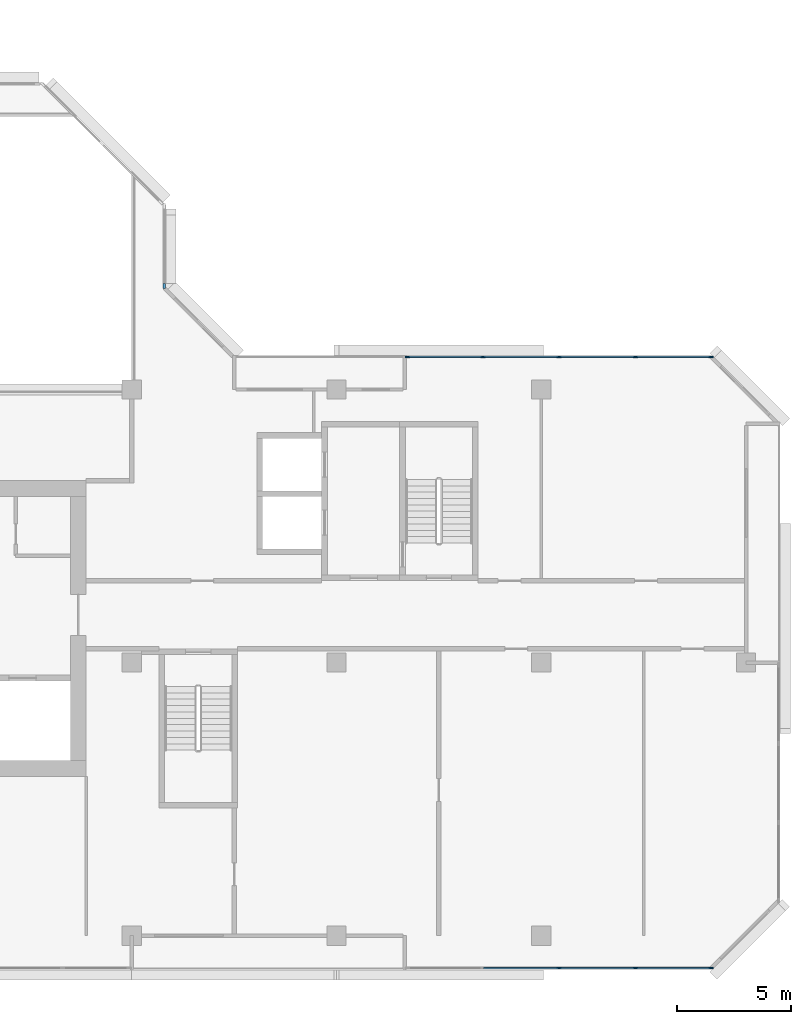
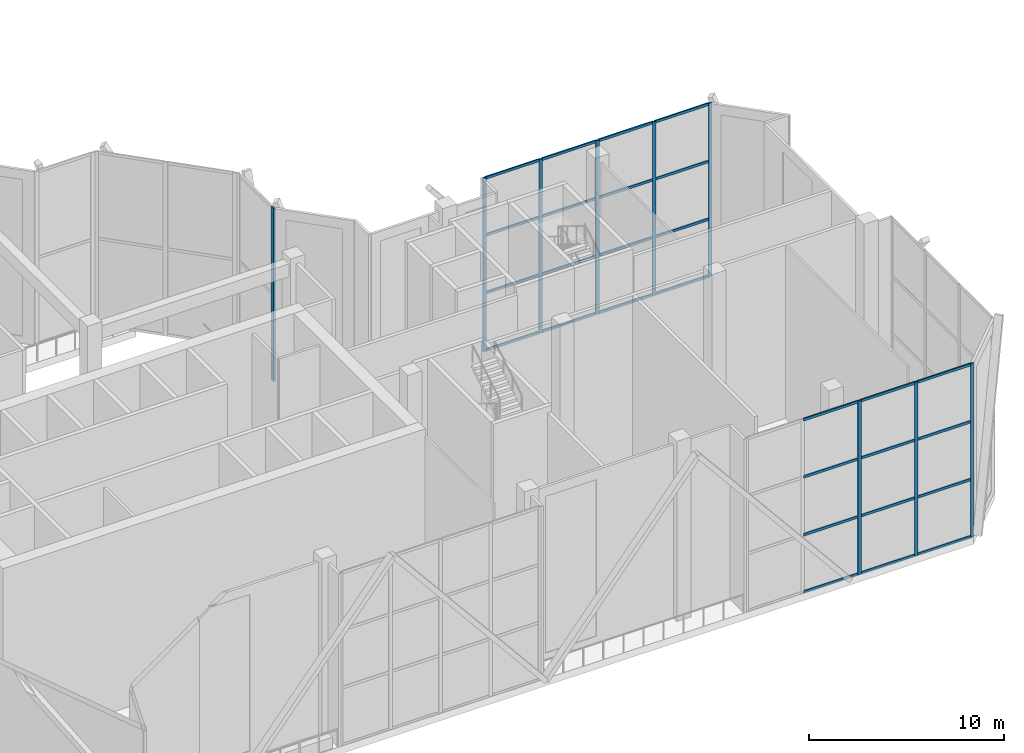
# One storey, part 4 of 18: 37 members, 3 elements without a shape of their own.
"""IFC4 building model written with IfcOpenShell, lengths in metres."""

import ifcopenshell
import ifcopenshell.guid

model = None  # the IFC model being written
_history = None  # IfcOwnerHistory: only IFC2X3 demands one
_inside = {}  # id of a spatial element -> (the spatial element, [elements in it])
_under = {}  # id of a project, library or spatial element -> (it, [spatial elements below it])
_declared = {}  # id of a project -> (the project, [libraries it declares])
_typed = {}  # id of a type object -> (the type object, [elements of that type])
_made_of = {}  # id of a material, layer set ... -> (it, [elements and type objects made of it])


def new_model(schema):
    """Start an empty IFC model of exactly this schema.

    Asked for "IFC4X3", IfcOpenShell would pick the latest addendum, in which some entities
    have other attributes; the version numbers below select the first issue.
    IFC2X3 requires an IfcOwnerHistory on every rooted entity: one is made here for all.
    """
    global model, _history
    if schema == "IFC4X3":
        model = ifcopenshell.file(schema_version=(4, 3, 0, 0))
    else:
        model = ifcopenshell.file(schema=schema)
    _inside.clear()
    _under.clear()
    _declared.clear()
    _typed.clear()
    _made_of.clear()
    _history = None
    if model.schema == "IFC2X3":
        org = make("IfcOrganization", Name="unknown")
        user = make(
            "IfcPersonAndOrganization",
            ThePerson=make("IfcPerson", FamilyName="unknown"),
            TheOrganization=org,
        )
        app = make(
            "IfcApplication",
            ApplicationDeveloper=org,
            Version="unknown",
            ApplicationFullName="unknown",
            ApplicationIdentifier="unknown",
        )
        _history = make(
            "IfcOwnerHistory",
            OwningUser=user,
            OwningApplication=app,
            ChangeAction="ADDED",
            CreationDate=0,
        )
    return model


def make(cls, **values):
    """One entity of the class cls with the attributes given. An attribute that is None is left unset."""
    return model.create_entity(
        cls, **{name: value for name, value in values.items() if value is not None}
    )


def rooted(cls, **values):
    """An entity with a GlobalId (a new one), such as an element, a storey or a relation."""
    return make(cls, GlobalId=ifcopenshell.guid.new(), OwnerHistory=_history, **values)


def si_unit(unit_type, name, prefix=None):
    """IfcSIUnit, for example si_unit("LENGTHUNIT", "METRE", prefix="MILLI")."""
    return make("IfcSIUnit", UnitType=unit_type, Prefix=prefix, Name=name)


def assignment(units):
    """IfcUnitAssignment: the units of a project."""
    return None if units is None else make("IfcUnitAssignment", Units=units)


def point(xyz):
    """IfcCartesianPoint."""
    return None if xyz is None else make("IfcCartesianPoint", Coordinates=xyz)


def direction(xyz):
    """IfcDirection."""
    return None if xyz is None else make("IfcDirection", DirectionRatios=xyz)


def frame(location, z_axis=None, x_axis=None):
    """IfcAxis2Placement3D, a coordinate frame: its origin and axes. An axis left out is left unset."""
    return make(
        "IfcAxis2Placement3D",
        Location=point(location),
        Axis=direction(z_axis),
        RefDirection=direction(x_axis),
    )


def frame_2d(location, x_axis=None):
    """IfcAxis2Placement2D, a coordinate frame in the plane: its origin and x axis."""
    return make(
        "IfcAxis2Placement2D", Location=point(location), RefDirection=direction(x_axis)
    )


def origin():
    """The frame at (0, 0, 0) with its axes left unset."""
    return frame((0.0, 0.0, 0.0))


def origin_2d():
    """The frame at (0, 0) in the plane with its x axis left unset."""
    return frame_2d((0.0, 0.0))


def place(relative_to, where):
    """IfcLocalPlacement: puts the frame where relative to a parent placement (None: the world)."""
    return make(
        "IfcLocalPlacement", PlacementRelTo=relative_to, RelativePlacement=where
    )


def context(
    kind, dimensions, precision=None, world=None, true_north=None, identifier=None
):
    """IfcGeometricRepresentationContext, for example the 3D "Model" context."""
    return make(
        "IfcGeometricRepresentationContext",
        ContextIdentifier=identifier,
        ContextType=kind,
        CoordinateSpaceDimension=dimensions,
        Precision=precision,
        WorldCoordinateSystem=world,
        TrueNorth=true_north,
    )


def subcontext(parent, identifier, kind, view, scale=None):
    """IfcGeometricRepresentationSubContext, for example "Body" below "Model"."""
    return make(
        "IfcGeometricRepresentationSubContext",
        ContextIdentifier=identifier,
        ContextType=kind,
        ParentContext=parent,
        TargetScale=scale,
        TargetView=view,
    )


def project(units=None, contexts=None):
    """IfcProject with its units and contexts."""
    return rooted(
        "IfcProject",
        Name="project",
        RepresentationContexts=contexts,
        UnitsInContext=assignment(units),
    )


def spatial(cls, under=None, at=None, **own):
    """A site, building, storey or space (cls), placed at a placement, below another one or the project."""
    s = rooted(cls, ObjectPlacement=at, **own)
    if under is not None:
        _under.setdefault(under.id(), (under, []))[1].append(s)
    return s


def profile(cls, at=None, kind="AREA", **sizes):
    """A parametric profile (cls). Its sizes go by their IFC names, for example OverallWidth=200.0."""
    return make(cls, ProfileType=kind, Position=at, **sizes)


def rectangle(**sizes):
    """IfcRectangleProfileDef."""
    return profile("IfcRectangleProfileDef", **sizes)


def extrude(swept, where, along, depth):
    """IfcExtrudedAreaSolid: the profile swept, set in the frame where, extruded along a direction by depth."""
    return make(
        "IfcExtrudedAreaSolid",
        SweptArea=swept,
        Position=where,
        ExtrudedDirection=direction(along),
        Depth=depth,
    )


def shape(context_of_items, identifier, shape_type, items):
    """IfcShapeRepresentation: the items that make up one representation, for example the "Body"."""
    return make(
        "IfcShapeRepresentation",
        ContextOfItems=context_of_items,
        RepresentationIdentifier=identifier,
        RepresentationType=shape_type,
        Items=items,
    )


def material(Name=None, Category=None):
    """IfcMaterial."""
    return make("IfcMaterial", Name=Name, Category=Category)


def layer(
    of_material, thickness, ventilated=None, Name=None, Category=None, Priority=None
):
    """IfcMaterialLayer: one layer of a wall or slab, of a material (None: an air gap)."""
    return make(
        "IfcMaterialLayer",
        Material=of_material,
        LayerThickness=thickness,
        IsVentilated=ventilated,
        Name=Name,
        Category=Category,
        Priority=Priority,
    )


def layer_set(layers, Name=None):
    """IfcMaterialLayerSet."""
    return make("IfcMaterialLayerSet", MaterialLayers=layers, LayerSetName=Name)


def material_profile(
    of_material, cross_section, Name=None, Category=None, Priority=None
):
    """IfcMaterialProfile: a cross section and its material."""
    return make(
        "IfcMaterialProfile",
        Name=Name,
        Material=of_material,
        Profile=cross_section,
        Priority=Priority,
        Category=Category,
    )


def profile_set(profiles, Name=None, composite=None):
    """IfcMaterialProfileSet."""
    return make(
        "IfcMaterialProfileSet",
        Name=Name,
        MaterialProfiles=profiles,
        CompositeProfile=composite,
    )


def made_of(thing, what):
    """Note that an element or type object is made of a material, layer set ...; save() writes the relation."""
    if what is not None:
        _made_of.setdefault(what.id(), (what, []))[1].append(thing)
    return thing


def type_object(cls, material=None, **own):
    """A type object (cls), such as IfcWallType, which elements share."""
    return made_of(rooted(cls, **own), material)


def element(
    cls,
    number,
    at=None,
    inside=None,
    cuts=None,
    type_object=None,
    material=None,
    context=None,
    identifier="Body",
    shape_type=None,
    held_by="IfcProductDefinitionShape",
    body=None,
    shapes=None,
    **own,
):
    """One element of the class cls, such as IfcWall. Its Tag is "e" and its number.

    at: its placement. inside: the storey or other place that contains it. cuts: it is an
    opening in that element (IfcRelVoidsElement). A single representation is given by context,
    identifier, shape_type and body (its items); several are given by shapes. held_by: the class
    of the entity that holds the representations. save() writes the other relations.
    """
    e = rooted(cls, Tag="e%d" % number, ObjectPlacement=at, **own)
    if body is not None:
        shapes = [shape(context, identifier, shape_type, body)]
    if shapes is not None:
        e.Representation = make(held_by, Representations=shapes)
    if inside is not None:
        _inside.setdefault(inside.id(), (inside, []))[1].append(e)
    if cuts is not None:
        rooted(
            "IfcRelVoidsElement", RelatingBuildingElement=cuts, RelatedOpeningElement=e
        )
    if type_object is not None:
        _typed.setdefault(type_object.id(), (type_object, []))[1].append(e)
    return made_of(e, material)


def aggregate(whole, parts):
    """IfcRelAggregates: a whole, such as a stair, and the parts it consists of."""
    return rooted("IfcRelAggregates", RelatingObject=whole, RelatedObjects=parts)


def save(model, path):
    """Write the relations noted so far, then the file.

    IfcRelAggregates (storeys below a building ...), IfcRelContainedInSpatialStructure (elements
    in a storey), IfcRelDefinesByType, IfcRelAssociatesMaterial and IfcRelDeclares: one each for
    every whole, place, type object, material and project.
    """
    for whole, parts in _under.values():
        aggregate(whole, parts)
    for where, things in _inside.values():
        rooted(
            "IfcRelContainedInSpatialStructure",
            RelatedElements=things,
            RelatingStructure=where,
        )
    for kind, things in _typed.values():
        rooted("IfcRelDefinesByType", RelatedObjects=things, RelatingType=kind)
    for what, things in _made_of.values():
        rooted("IfcRelAssociatesMaterial", RelatedObjects=things, RelatingMaterial=what)
    for by, libraries in _declared.values():
        rooted("IfcRelDeclares", RelatingContext=by, RelatedDefinitions=libraries)
    model.write(path)


model = new_model("IFC4")

# Units and contexts
model_context = context("Model", 3, precision=1e-05, world=origin(), true_north=direction((0.0, 1.0)))
body_context = subcontext(model_context, "Body", "Model", "MODEL_VIEW")
ifc_project = project(units=[si_unit("LENGTHUNIT", "METRE"), si_unit("AREAUNIT", "SQUARE_METRE"), si_unit("VOLUMEUNIT", "CUBIC_METRE"), si_unit("PLANEANGLEUNIT", "RADIAN"), si_unit("MASSUNIT", "GRAM", prefix="KILO")], contexts=[model_context])

# Site, building, storey
site_placement = place(None, origin())
site = spatial("IfcSite", under=ifc_project, at=site_placement, CompositionType="ELEMENT")
building_placement = place(site_placement, origin())
building = spatial("IfcBuilding", under=site, at=building_placement, Name="Chenar Terraces", CompositionType="ELEMENT")
storey_placement = place(building_placement, frame((0.0, 0.0, 262.14990234375)))
storey = spatial("IfcBuildingStorey", under=building, at=storey_placement, Name="L62", CompositionType="ELEMENT", Elevation=262.14990234375)

# Curtain wall, member
ifc_material_1 = material(Name="Aluminium framed glazing", Category="aluminium")
ifc_layer_1 = layer(ifc_material_1, 0.14990234375)
ifc_layer_set_1 = layer_set([ifc_layer_1], Name="Aluminium framed glazing")
curtain_wall_type_1 = type_object("IfcCurtainWallType", Name="Atrium upper-zone curtain wall", PredefinedType="NOTDEFINED", material=ifc_layer_set_1)
placement = place(storey_placement, origin())
curtain_wall_1 = element("IfcCurtainWall", 1, at=placement, inside=storey, type_object=curtain_wall_type_1, Name="Atrium upper-zone curtain wall", PredefinedType="NOTDEFINED")
ifc_material_2 = material(Name="Aluminium", Category="aluminium")
ifc_material_profile_1 = material_profile(ifc_material_2, rectangle(XDim=0.10009765625, YDim=0.239990234375, at=origin_2d()), Name="Atrium upper-zone glazing mullion 100 x 240")
ifc_profile_set_1 = profile_set([ifc_material_profile_1], Name="Aluminium")
member_type_1 = type_object("IfcMemberType", Name="Atrium upper-zone glazing mullion 100 x 240", PredefinedType="MULLION", material=ifc_profile_set_1)
member_1_placement = place(storey_placement, frame((37.425048828125, 28.550048828125, 0.0), z_axis=(0.0, 0.0, 1.0), x_axis=(-1.0, 0.0, 0.0)))
member_1 = element("IfcMember", 2, at=member_1_placement, type_object=member_type_1, Name="CW8-1 mullion 1", PredefinedType="MULLION", context=body_context, shape_type="SweptSolid", body=[
    extrude(rectangle(XDim=0.10009765625, YDim=0.239990234375, at=origin_2d()), origin(), (0.0, 0.0, 1.0), 10.85009765625),
])
aggregate(curtain_wall_1, [member_1])

# Curtain wall, members
ifc_material_3 = material(Name="Aluminium framed glazing", Category="aluminium")
ifc_layer_2 = layer(ifc_material_3, 0.14990234375)
ifc_layer_set_2 = layer_set([ifc_layer_2], Name="Aluminium framed glazing")
curtain_wall_type_2 = type_object("IfcCurtainWallType", Name="Sky garden curtain wall", PredefinedType="NOTDEFINED", material=ifc_layer_set_2)
curtain_wall_2 = element("IfcCurtainWall", 3, at=placement, inside=storey, type_object=curtain_wall_type_2, Name="Sky garden curtain wall", PredefinedType="NOTDEFINED")
ifc_material_4 = material(Name="Aluminium", Category="aluminium")
ifc_material_profile_2 = material_profile(ifc_material_4, rectangle(XDim=0.080078125, YDim=0.199951171875, at=origin_2d()), Name="Sky garden mullion 80 x 200")
ifc_profile_set_2 = profile_set([ifc_material_profile_2], Name="Aluminium")
member_type_2 = type_object("IfcMemberType", Name="Sky garden mullion 80 x 200", PredefinedType="MULLION", material=ifc_profile_set_2)
member_2_placement = place(storey_placement, frame((61.4599609375, 25.425048828125, 0.0), z_axis=(0.0, 0.0, 1.0), x_axis=(0.0, -1.0, 0.0)))
member_2 = element("IfcMember", 4, at=member_2_placement, type_object=member_type_2, Name="CW3-01 mullion 1", PredefinedType="MULLION", context=body_context, shape_type="SweptSolid", body=[
    extrude(rectangle(XDim=0.080078125, YDim=0.199951171875, at=origin_2d()), origin(), (0.0, 0.0, 1.0), 10.85009765625),
])
member_3_placement = place(storey_placement, frame((58.143798828125, 25.425048828125, 0.0), z_axis=(0.0, 0.0, 1.0), x_axis=(0.0, -1.0, 0.0)))
member_3 = element("IfcMember", 5, at=member_3_placement, type_object=member_type_2, Name="CW3-01 mullion 2", PredefinedType="MULLION", context=body_context, shape_type="SweptSolid", body=[
    extrude(rectangle(XDim=0.080078125, YDim=0.199951171875, at=origin_2d()), origin(), (0.0, 0.0, 1.0), 10.85009765625),
])
member_4_placement = place(storey_placement, frame((54.78759765625, 25.425048828125, 0.0), z_axis=(0.0, 0.0, 1.0), x_axis=(0.0, -1.0, 0.0)))
member_4 = element("IfcMember", 6, at=member_4_placement, type_object=member_type_2, Name="CW3-01 mullion 3", PredefinedType="MULLION", context=body_context, shape_type="SweptSolid", body=[
    extrude(rectangle(XDim=0.080078125, YDim=0.199951171875, at=origin_2d()), origin(), (0.0, 0.0, 1.0), 10.85009765625),
])
member_5_placement = place(storey_placement, frame((51.43115234375, 25.425048828125, 0.0), z_axis=(0.0, 0.0, 1.0), x_axis=(0.0, -1.0, 0.0)))
member_5 = element("IfcMember", 7, at=member_5_placement, type_object=member_type_2, Name="CW3-01 mullion 4", PredefinedType="MULLION", context=body_context, shape_type="SweptSolid", body=[
    extrude(rectangle(XDim=0.080078125, YDim=0.199951171875, at=origin_2d()), origin(), (0.0, 0.0, 1.0), 10.85009765625),
])
member_6_placement = place(storey_placement, frame((48.114990234375, 25.425048828125, 0.0), z_axis=(0.0, 0.0, 1.0), x_axis=(0.0, -1.0, 0.0)))
member_6 = element("IfcMember", 8, at=member_6_placement, type_object=member_type_2, Name="CW3-01 mullion 5", PredefinedType="MULLION", context=body_context, shape_type="SweptSolid", body=[
    extrude(rectangle(XDim=0.080078125, YDim=0.199951171875, at=origin_2d()), origin(), (0.0, 0.0, 1.0), 10.85009765625),
])

curtain_wall_3 = element("IfcCurtainWall", 9, at=placement, inside=storey, type_object=curtain_wall_type_2, Name="Sky garden curtain wall", PredefinedType="NOTDEFINED")
member_7_placement = place(storey_placement, frame((54.78759765625, -1.425048828125, 0.0), z_axis=(0.0, 0.0, 1.0), x_axis=(0.0, 1.0, 0.0)))
member_7 = element("IfcMember", 10, at=member_7_placement, type_object=member_type_2, Name="CW3-08 mullion 3", PredefinedType="MULLION", context=body_context, shape_type="SweptSolid", body=[
    extrude(rectangle(XDim=0.080078125, YDim=0.199951171875, at=origin_2d()), origin(), (0.0, 0.0, 1.0), 10.85009765625),
])
member_8_placement = place(storey_placement, frame((58.143798828125, -1.425048828125, 0.0), z_axis=(0.0, 0.0, 1.0), x_axis=(0.0, 1.0, 0.0)))
member_8 = element("IfcMember", 11, at=member_8_placement, type_object=member_type_2, Name="CW3-08 mullion 4", PredefinedType="MULLION", context=body_context, shape_type="SweptSolid", body=[
    extrude(rectangle(XDim=0.080078125, YDim=0.199951171875, at=origin_2d()), origin(), (0.0, 0.0, 1.0), 10.85009765625),
])
member_9_placement = place(storey_placement, frame((61.4599609375, -1.425048828125, 0.0), z_axis=(0.0, 0.0, 1.0), x_axis=(0.0, 1.0, 0.0)))
member_9 = element("IfcMember", 12, at=member_9_placement, type_object=member_type_2, Name="CW3-08 mullion 5", PredefinedType="MULLION", context=body_context, shape_type="SweptSolid", body=[
    extrude(rectangle(XDim=0.080078125, YDim=0.199951171875, at=origin_2d()), origin(), (0.0, 0.0, 1.0), 10.85009765625),
])

# Member
ifc_material_5 = material(Name="Aluminium", Category="aluminium")
ifc_material_profile_3 = material_profile(ifc_material_5, rectangle(XDim=0.080078125, YDim=0.159912109375, at=origin_2d()), Name="Sky garden transom 80 x 160")
ifc_profile_set_3 = profile_set([ifc_material_profile_3], Name="Aluminium")
member_type_3 = type_object("IfcMemberType", Name="Sky garden transom 80 x 160", PredefinedType="USERDEFINED", material=ifc_profile_set_3)
member_10_placement = place(storey_placement, frame((61.419921875, 25.425048828125, 0.0400390625), z_axis=(-1.0, 0.0, 0.0), x_axis=(0.0, -1.0, 0.0)))
member_10 = element("IfcMember", 13, at=member_10_placement, type_object=member_type_3, Name="CW3-01 transom 1.1", ObjectType="TRANSOM", PredefinedType="USERDEFINED", context=body_context, shape_type="SweptSolid", body=[
    extrude(rectangle(XDim=0.080078125, YDim=0.159912109375, at=origin_2d()), origin(), (0.0, 0.0, 1.0), 3.236083984375),
])

member_11_placement = place(storey_placement, frame((61.419921875, 25.425048828125, 3.6171875), z_axis=(-1.0, 0.0, 0.0), x_axis=(0.0, -1.0, 0.0)))
member_11 = element("IfcMember", 14, at=member_11_placement, type_object=member_type_3, Name="CW3-01 transom 1.2", ObjectType="TRANSOM", PredefinedType="USERDEFINED", context=body_context, shape_type="SweptSolid", body=[
    extrude(rectangle(XDim=0.080078125, YDim=0.159912109375, at=origin_2d()), origin(), (0.0, 0.0, 1.0), 3.236083984375),
])

member_12_placement = place(storey_placement, frame((61.419921875, 25.425048828125, 7.233154296875), z_axis=(-1.0, 0.0, 0.0), x_axis=(0.0, -1.0, 0.0)))
member_12 = element("IfcMember", 15, at=member_12_placement, type_object=member_type_3, Name="CW3-01 transom 1.3", ObjectType="TRANSOM", PredefinedType="USERDEFINED", context=body_context, shape_type="SweptSolid", body=[
    extrude(rectangle(XDim=0.080078125, YDim=0.159912109375, at=origin_2d()), origin(), (0.0, 0.0, 1.0), 3.236083984375),
])

member_13_placement = place(storey_placement, frame((61.419921875, 25.425048828125, 10.81005859375), z_axis=(-1.0, 0.0, 0.0), x_axis=(0.0, -1.0, 0.0)))
member_13 = element("IfcMember", 16, at=member_13_placement, type_object=member_type_3, Name="CW3-01 transom 1.4", ObjectType="TRANSOM", PredefinedType="USERDEFINED", context=body_context, shape_type="SweptSolid", body=[
    extrude(rectangle(XDim=0.080078125, YDim=0.159912109375, at=origin_2d()), origin(), (0.0, 0.0, 1.0), 3.236083984375),
])

member_14_placement = place(storey_placement, frame((58.103759765625, 25.425048828125, 0.0400390625), z_axis=(-1.0, 0.0, 0.0), x_axis=(0.0, -1.0, 0.0)))
member_14 = element("IfcMember", 17, at=member_14_placement, type_object=member_type_3, Name="CW3-01 transom 2.1", ObjectType="TRANSOM", PredefinedType="USERDEFINED", context=body_context, shape_type="SweptSolid", body=[
    extrude(rectangle(XDim=0.080078125, YDim=0.159912109375, at=origin_2d()), origin(), (0.0, 0.0, 1.0), 3.2763671875),
])

member_15_placement = place(storey_placement, frame((58.103759765625, 25.425048828125, 3.6171875), z_axis=(-1.0, 0.0, 0.0), x_axis=(0.0, -1.0, 0.0)))
member_15 = element("IfcMember", 18, at=member_15_placement, type_object=member_type_3, Name="CW3-01 transom 2.2", ObjectType="TRANSOM", PredefinedType="USERDEFINED", context=body_context, shape_type="SweptSolid", body=[
    extrude(rectangle(XDim=0.080078125, YDim=0.159912109375, at=origin_2d()), origin(), (0.0, 0.0, 1.0), 3.2763671875),
])

member_16_placement = place(storey_placement, frame((58.103759765625, 25.425048828125, 7.233154296875), z_axis=(-1.0, 0.0, 0.0), x_axis=(0.0, -1.0, 0.0)))
member_16 = element("IfcMember", 19, at=member_16_placement, type_object=member_type_3, Name="CW3-01 transom 2.3", ObjectType="TRANSOM", PredefinedType="USERDEFINED", context=body_context, shape_type="SweptSolid", body=[
    extrude(rectangle(XDim=0.080078125, YDim=0.159912109375, at=origin_2d()), origin(), (0.0, 0.0, 1.0), 3.2763671875),
])

member_17_placement = place(storey_placement, frame((58.103759765625, 25.425048828125, 10.81005859375), z_axis=(-1.0, 0.0, 0.0), x_axis=(0.0, -1.0, 0.0)))
member_17 = element("IfcMember", 20, at=member_17_placement, type_object=member_type_3, Name="CW3-01 transom 2.4", ObjectType="TRANSOM", PredefinedType="USERDEFINED", context=body_context, shape_type="SweptSolid", body=[
    extrude(rectangle(XDim=0.080078125, YDim=0.159912109375, at=origin_2d()), origin(), (0.0, 0.0, 1.0), 3.2763671875),
])

member_18_placement = place(storey_placement, frame((54.74755859375, 25.425048828125, 0.0400390625), z_axis=(-1.0, 0.0, 0.0), x_axis=(0.0, -1.0, 0.0)))
member_18 = element("IfcMember", 21, at=member_18_placement, type_object=member_type_3, Name="CW3-01 transom 3.1", ObjectType="TRANSOM", PredefinedType="USERDEFINED", context=body_context, shape_type="SweptSolid", body=[
    extrude(rectangle(XDim=0.080078125, YDim=0.159912109375, at=origin_2d()), origin(), (0.0, 0.0, 1.0), 3.2763671875),
])

member_19_placement = place(storey_placement, frame((54.74755859375, 25.425048828125, 3.6171875), z_axis=(-1.0, 0.0, 0.0), x_axis=(0.0, -1.0, 0.0)))
member_19 = element("IfcMember", 22, at=member_19_placement, type_object=member_type_3, Name="CW3-01 transom 3.2", ObjectType="TRANSOM", PredefinedType="USERDEFINED", context=body_context, shape_type="SweptSolid", body=[
    extrude(rectangle(XDim=0.080078125, YDim=0.159912109375, at=origin_2d()), origin(), (0.0, 0.0, 1.0), 3.2763671875),
])

member_20_placement = place(storey_placement, frame((54.74755859375, 25.425048828125, 7.233154296875), z_axis=(-1.0, 0.0, 0.0), x_axis=(0.0, -1.0, 0.0)))
member_20 = element("IfcMember", 23, at=member_20_placement, type_object=member_type_3, Name="CW3-01 transom 3.3", ObjectType="TRANSOM", PredefinedType="USERDEFINED", context=body_context, shape_type="SweptSolid", body=[
    extrude(rectangle(XDim=0.080078125, YDim=0.159912109375, at=origin_2d()), origin(), (0.0, 0.0, 1.0), 3.2763671875),
])

member_21_placement = place(storey_placement, frame((54.74755859375, 25.425048828125, 10.81005859375), z_axis=(-1.0, 0.0, 0.0), x_axis=(0.0, -1.0, 0.0)))
member_21 = element("IfcMember", 24, at=member_21_placement, type_object=member_type_3, Name="CW3-01 transom 3.4", ObjectType="TRANSOM", PredefinedType="USERDEFINED", context=body_context, shape_type="SweptSolid", body=[
    extrude(rectangle(XDim=0.080078125, YDim=0.159912109375, at=origin_2d()), origin(), (0.0, 0.0, 1.0), 3.2763671875),
])

member_22_placement = place(storey_placement, frame((51.391357421875, 25.425048828125, 0.0400390625), z_axis=(-1.0, 0.0, 0.0), x_axis=(0.0, -1.0, 0.0)))
member_22 = element("IfcMember", 25, at=member_22_placement, type_object=member_type_3, Name="CW3-01 transom 4.1", ObjectType="TRANSOM", PredefinedType="USERDEFINED", context=body_context, shape_type="SweptSolid", body=[
    extrude(rectangle(XDim=0.080078125, YDim=0.159912109375, at=origin_2d()), origin(), (0.0, 0.0, 1.0), 3.236328125),
])

member_23_placement = place(storey_placement, frame((51.391357421875, 25.425048828125, 3.6171875), z_axis=(-1.0, 0.0, 0.0), x_axis=(0.0, -1.0, 0.0)))
member_23 = element("IfcMember", 26, at=member_23_placement, type_object=member_type_3, Name="CW3-01 transom 4.2", ObjectType="TRANSOM", PredefinedType="USERDEFINED", context=body_context, shape_type="SweptSolid", body=[
    extrude(rectangle(XDim=0.080078125, YDim=0.159912109375, at=origin_2d()), origin(), (0.0, 0.0, 1.0), 3.236328125),
])

member_24_placement = place(storey_placement, frame((51.391357421875, 25.425048828125, 7.233154296875), z_axis=(-1.0, 0.0, 0.0), x_axis=(0.0, -1.0, 0.0)))
member_24 = element("IfcMember", 27, at=member_24_placement, type_object=member_type_3, Name="CW3-01 transom 4.3", ObjectType="TRANSOM", PredefinedType="USERDEFINED", context=body_context, shape_type="SweptSolid", body=[
    extrude(rectangle(XDim=0.080078125, YDim=0.159912109375, at=origin_2d()), origin(), (0.0, 0.0, 1.0), 3.236328125),
])

member_25_placement = place(storey_placement, frame((51.391357421875, 25.425048828125, 10.81005859375), z_axis=(-1.0, 0.0, 0.0), x_axis=(0.0, -1.0, 0.0)))
member_25 = element("IfcMember", 28, at=member_25_placement, type_object=member_type_3, Name="CW3-01 transom 4.4", ObjectType="TRANSOM", PredefinedType="USERDEFINED", context=body_context, shape_type="SweptSolid", body=[
    extrude(rectangle(XDim=0.080078125, YDim=0.159912109375, at=origin_2d()), origin(), (0.0, 0.0, 1.0), 3.236328125),
])

aggregate(curtain_wall_2, [member_2, member_3, member_4, member_5, member_6, member_10, member_11, member_12, member_13, member_14, member_15, member_16, member_17, member_18, member_19, member_20, member_21, member_22, member_23, member_24, member_25])

member_26_placement = place(storey_placement, frame((51.47119140625, -1.425048828125, 0.0400390625), z_axis=(1.0, 0.0, 0.0), x_axis=(0.0, 1.0, 0.0)))
member_26 = element("IfcMember", 29, at=member_26_placement, type_object=member_type_3, Name="CW3-08 transom 2.1", ObjectType="TRANSOM", PredefinedType="USERDEFINED", context=body_context, shape_type="SweptSolid", body=[
    extrude(rectangle(XDim=0.080078125, YDim=0.159912109375, at=origin_2d()), origin(), (0.0, 0.0, 1.0), 3.2763671875),
])

member_27_placement = place(storey_placement, frame((51.47119140625, -1.425048828125, 3.6171875), z_axis=(1.0, 0.0, 0.0), x_axis=(0.0, 1.0, 0.0)))
member_27 = element("IfcMember", 30, at=member_27_placement, type_object=member_type_3, Name="CW3-08 transom 2.2", ObjectType="TRANSOM", PredefinedType="USERDEFINED", context=body_context, shape_type="SweptSolid", body=[
    extrude(rectangle(XDim=0.080078125, YDim=0.159912109375, at=origin_2d()), origin(), (0.0, 0.0, 1.0), 3.2763671875),
])

member_28_placement = place(storey_placement, frame((51.47119140625, -1.425048828125, 7.233154296875), z_axis=(1.0, 0.0, 0.0), x_axis=(0.0, 1.0, 0.0)))
member_28 = element("IfcMember", 31, at=member_28_placement, type_object=member_type_3, Name="CW3-08 transom 2.3", ObjectType="TRANSOM", PredefinedType="USERDEFINED", context=body_context, shape_type="SweptSolid", body=[
    extrude(rectangle(XDim=0.080078125, YDim=0.159912109375, at=origin_2d()), origin(), (0.0, 0.0, 1.0), 3.2763671875),
])

member_29_placement = place(storey_placement, frame((51.47119140625, -1.425048828125, 10.81005859375), z_axis=(1.0, 0.0, 0.0), x_axis=(0.0, 1.0, 0.0)))
member_29 = element("IfcMember", 32, at=member_29_placement, type_object=member_type_3, Name="CW3-08 transom 2.4", ObjectType="TRANSOM", PredefinedType="USERDEFINED", context=body_context, shape_type="SweptSolid", body=[
    extrude(rectangle(XDim=0.080078125, YDim=0.159912109375, at=origin_2d()), origin(), (0.0, 0.0, 1.0), 3.2763671875),
])

member_30_placement = place(storey_placement, frame((54.827392578125, -1.425048828125, 0.0400390625), z_axis=(1.0, 0.0, 0.0), x_axis=(0.0, 1.0, 0.0)))
member_30 = element("IfcMember", 33, at=member_30_placement, type_object=member_type_3, Name="CW3-08 transom 3.1", ObjectType="TRANSOM", PredefinedType="USERDEFINED", context=body_context, shape_type="SweptSolid", body=[
    extrude(rectangle(XDim=0.080078125, YDim=0.159912109375, at=origin_2d()), origin(), (0.0, 0.0, 1.0), 3.2763671875),
])

member_31_placement = place(storey_placement, frame((54.827392578125, -1.425048828125, 3.6171875), z_axis=(1.0, 0.0, 0.0), x_axis=(0.0, 1.0, 0.0)))
member_31 = element("IfcMember", 34, at=member_31_placement, type_object=member_type_3, Name="CW3-08 transom 3.2", ObjectType="TRANSOM", PredefinedType="USERDEFINED", context=body_context, shape_type="SweptSolid", body=[
    extrude(rectangle(XDim=0.080078125, YDim=0.159912109375, at=origin_2d()), origin(), (0.0, 0.0, 1.0), 3.2763671875),
])

member_32_placement = place(storey_placement, frame((54.827392578125, -1.425048828125, 7.233154296875), z_axis=(1.0, 0.0, 0.0), x_axis=(0.0, 1.0, 0.0)))
member_32 = element("IfcMember", 35, at=member_32_placement, type_object=member_type_3, Name="CW3-08 transom 3.3", ObjectType="TRANSOM", PredefinedType="USERDEFINED", context=body_context, shape_type="SweptSolid", body=[
    extrude(rectangle(XDim=0.080078125, YDim=0.159912109375, at=origin_2d()), origin(), (0.0, 0.0, 1.0), 3.2763671875),
])

member_33_placement = place(storey_placement, frame((54.827392578125, -1.425048828125, 10.81005859375), z_axis=(1.0, 0.0, 0.0), x_axis=(0.0, 1.0, 0.0)))
member_33 = element("IfcMember", 36, at=member_33_placement, type_object=member_type_3, Name="CW3-08 transom 3.4", ObjectType="TRANSOM", PredefinedType="USERDEFINED", context=body_context, shape_type="SweptSolid", body=[
    extrude(rectangle(XDim=0.080078125, YDim=0.159912109375, at=origin_2d()), origin(), (0.0, 0.0, 1.0), 3.2763671875),
])

member_34_placement = place(storey_placement, frame((58.183837890625, -1.425048828125, 0.0400390625), z_axis=(1.0, 0.0, 0.0), x_axis=(0.0, 1.0, 0.0)))
member_34 = element("IfcMember", 37, at=member_34_placement, type_object=member_type_3, Name="CW3-08 transom 4.1", ObjectType="TRANSOM", PredefinedType="USERDEFINED", context=body_context, shape_type="SweptSolid", body=[
    extrude(rectangle(XDim=0.080078125, YDim=0.159912109375, at=origin_2d()), origin(), (0.0, 0.0, 1.0), 3.236083984375),
])

member_35_placement = place(storey_placement, frame((58.183837890625, -1.425048828125, 3.6171875), z_axis=(1.0, 0.0, 0.0), x_axis=(0.0, 1.0, 0.0)))
member_35 = element("IfcMember", 38, at=member_35_placement, type_object=member_type_3, Name="CW3-08 transom 4.2", ObjectType="TRANSOM", PredefinedType="USERDEFINED", context=body_context, shape_type="SweptSolid", body=[
    extrude(rectangle(XDim=0.080078125, YDim=0.159912109375, at=origin_2d()), origin(), (0.0, 0.0, 1.0), 3.236083984375),
])

member_36_placement = place(storey_placement, frame((58.183837890625, -1.425048828125, 7.233154296875), z_axis=(1.0, 0.0, 0.0), x_axis=(0.0, 1.0, 0.0)))
member_36 = element("IfcMember", 39, at=member_36_placement, type_object=member_type_3, Name="CW3-08 transom 4.3", ObjectType="TRANSOM", PredefinedType="USERDEFINED", context=body_context, shape_type="SweptSolid", body=[
    extrude(rectangle(XDim=0.080078125, YDim=0.159912109375, at=origin_2d()), origin(), (0.0, 0.0, 1.0), 3.236083984375),
])

member_37_placement = place(storey_placement, frame((58.183837890625, -1.425048828125, 10.81005859375), z_axis=(1.0, 0.0, 0.0), x_axis=(0.0, 1.0, 0.0)))
member_37 = element("IfcMember", 40, at=member_37_placement, type_object=member_type_3, Name="CW3-08 transom 4.4", ObjectType="TRANSOM", PredefinedType="USERDEFINED", context=body_context, shape_type="SweptSolid", body=[
    extrude(rectangle(XDim=0.080078125, YDim=0.159912109375, at=origin_2d()), origin(), (0.0, 0.0, 1.0), 3.236083984375),
])

aggregate(curtain_wall_3, [member_7, member_8, member_9, member_26, member_27, member_28, member_29, member_30, member_31, member_32, member_33, member_34, member_35, member_36, member_37])

save(model, "model.ifc")
